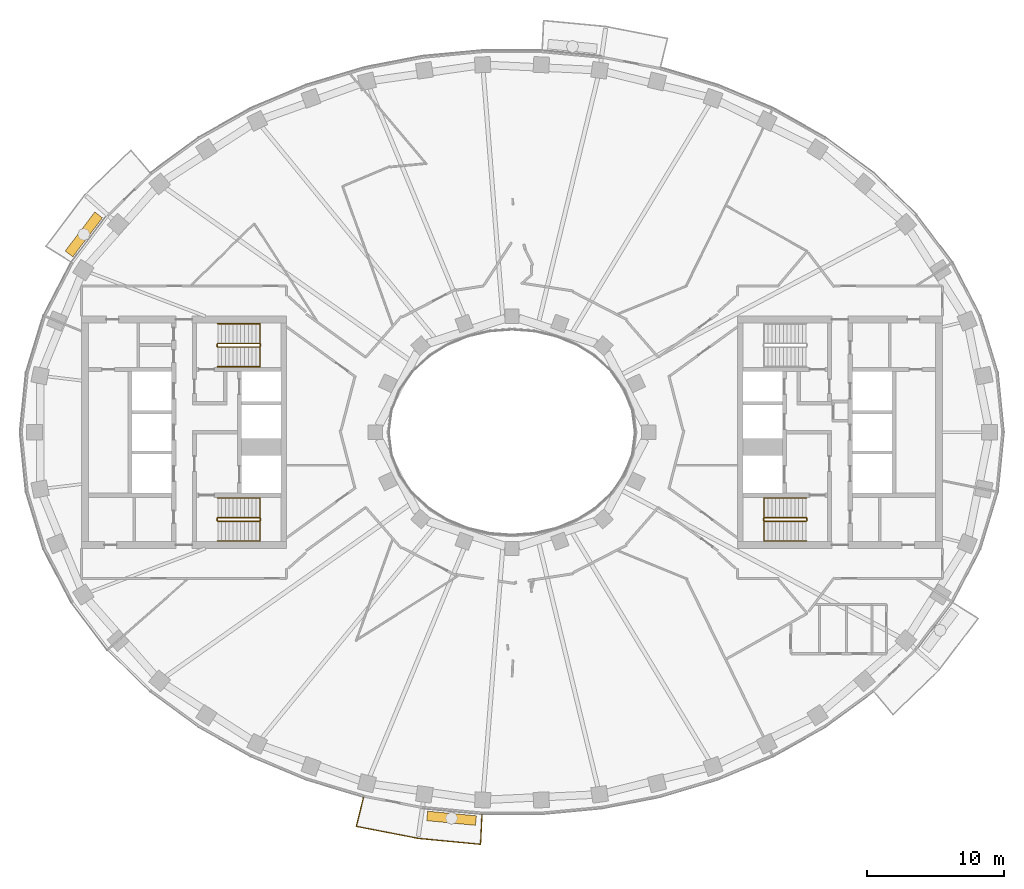
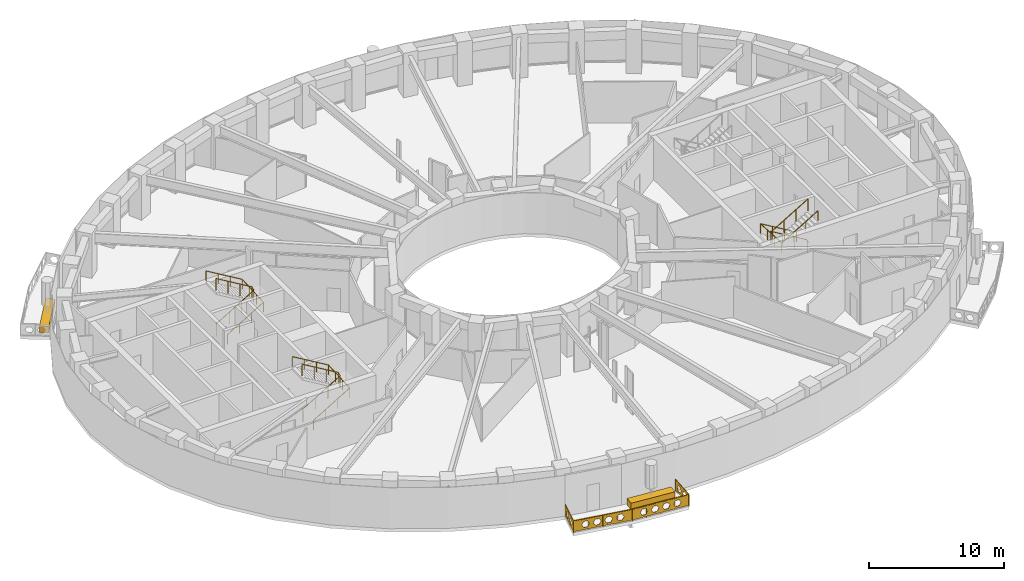
# One storey, part 15 of 17: 7 railings, 2 coverings.
"""IFC4 building model written with IfcOpenShell, lengths in metres."""

from ifc_helpers import new_model, si_unit, direction, frame, origin, origin_2d, place, context, subcontext, project, spatial, polyline, rectangle, outline, extrude, material, type_object, element, save


model = new_model("IFC4")

# Units and contexts
model_context = context("Model", 3, precision=1e-05, world=origin(), true_north=direction((0.0, 1.0)))
body_context = subcontext(model_context, "Body", "Model", "MODEL_VIEW")
ifc_project = project(units=[si_unit("LENGTHUNIT", "METRE"), si_unit("AREAUNIT", "SQUARE_METRE"), si_unit("VOLUMEUNIT", "CUBIC_METRE"), si_unit("PLANEANGLEUNIT", "RADIAN"), si_unit("MASSUNIT", "GRAM", prefix="KILO")], contexts=[model_context])

# Site, building, storey
site_placement = place(None, origin())
site = spatial("IfcSite", under=ifc_project, at=site_placement, CompositionType="ELEMENT")
building_placement = place(site_placement, origin())
building = spatial("IfcBuilding", under=site, at=building_placement, Name="Noorbagh Ring Tower", CompositionType="ELEMENT")
storey_placement = place(building_placement, frame((0.0, 0.0, 190.0)))
storey = spatial("IfcBuildingStorey", under=building, at=storey_placement, Name="L44", CompositionType="ELEMENT", Elevation=190.0)

# Railings
ifc_material_1 = material(Name="Stainless steel", Category="steel")
railing_type_1 = type_object("IfcRailingType", Name="CORE-STAIR-GUARD", PredefinedType="GUARDRAIL", material=ifc_material_1)
railing_1_placement = place(storey_placement, frame((-21.580078125, 6.300048828125, 0.0)))
element("IfcRailing", 1, at=railing_1_placement, inside=storey, type_object=railing_type_1, Name="L44 ST1 stair guard", PredefinedType="GUARDRAIL", context=body_context, shape_type="SweptSolid", body=[
    extrude(rectangle(XDim=0.048095703125, YDim=0.048095703125, at=origin_2d()), frame((0.0, 0.0, 1.076171875), z_axis=(0.0, 1.0, 0.0), x_axis=(-1.0, 0.0, 0.0)), (0.0, 0.0, 1.0), 0.14990234375),
    extrude(rectangle(XDim=0.048095703125, YDim=0.048095703125, at=origin_2d()), frame((0.0, 0.14990234375, 1.076171875), z_axis=(0.188775798145, -0.754182335027, 0.628945707965), x_axis=(0.970072785993, 0.242814311512, 0.0)), (0.0, 0.0, 1.0), 0.26513671875),
    extrude(rectangle(XDim=0.048095703125, YDim=0.048095703125, at=origin_2d()), frame((0.050048828125, -0.050048828125, 1.24267578125), z_axis=(0.859308565015, 0.0, 0.511457515432), x_axis=(0.0, 1.0, 0.0)), (0.0, 0.0, 1.0), 3.58447265625),
    extrude(rectangle(XDim=0.048095703125, YDim=0.048095703125, at=origin_2d()), frame((3.130126953125, -0.050048828125, 3.076171875), z_axis=(0.707106781187, 0.707106781187, 0.0), x_axis=(-0.707106781187, 0.707106781187, 0.0)), (0.0, 0.0, 1.0), 0.07080078125),
    extrude(rectangle(XDim=0.048095703125, YDim=0.048095703125, at=origin_2d()), frame((3.18017578125, 0.0, 3.076171875), z_axis=(0.0, 1.0, 0.0), x_axis=(-1.0, 0.0, 0.0)), (0.0, 0.0, 1.0), 0.14990234375),
    extrude(rectangle(XDim=0.048095703125, YDim=0.048095703125, at=origin_2d()), frame((3.18017578125, 0.14990234375, 3.076171875), z_axis=(-0.27628659633, 0.27628659633, 0.920506074601), x_axis=(-0.707106781187, -0.707106781187, 0.0)), (0.0, 0.0, 1.0), 0.18115234375),
    extrude(rectangle(XDim=0.048095703125, YDim=0.048095703125, at=origin_2d()), frame((3.130126953125, 0.199951171875, 3.24267578125), z_axis=(-0.859308565015, 0.0, 0.511457515432), x_axis=(0.0, -1.0, 0.0)), (0.0, 0.0, 1.0), 3.58447265625),
    extrude(rectangle(XDim=0.0419921875, YDim=0.0419921875, at=origin_2d()), origin(), (0.0, 0.0, 1.0), 1.052001953125),
    extrude(rectangle(XDim=0.0419921875, YDim=0.0419921875, at=origin_2d()), frame((1.07666015625, -0.050048828125, 0.77783203125)), (0.0, 0.0, 1.0), 1.052001953125),
    extrude(rectangle(XDim=0.0419921875, YDim=0.0419921875, at=origin_2d()), frame((2.103515625, -0.050048828125, 1.388916015625)), (0.0, 0.0, 1.0), 1.052001953125),
    extrude(rectangle(XDim=0.0419921875, YDim=0.0419921875, at=origin_2d()), frame((3.130126953125, -0.050048828125, 2.0)), (0.0, 0.0, 1.0), 1.052001953125),
    extrude(rectangle(XDim=0.0419921875, YDim=0.0419921875, at=origin_2d()), frame((3.130126953125, 0.199951171875, 2.166748046875)), (0.0, 0.0, 1.0), 1.052001953125),
    extrude(rectangle(XDim=0.0419921875, YDim=0.0419921875, at=origin_2d()), frame((2.103515625, 0.199951171875, 2.77783203125)), (0.0, 0.0, 1.0), 1.052001953125),
    extrude(rectangle(XDim=0.0419921875, YDim=0.0419921875, at=origin_2d()), frame((1.07666015625, 0.199951171875, 3.388916015625)), (0.0, 0.0, 1.0), 1.052001953125),
    extrude(rectangle(XDim=0.0419921875, YDim=0.0419921875, at=origin_2d()), frame((0.050048828125, 0.199951171875, 4.0)), (0.0, 0.0, 1.0), 1.052001953125),
])
railing_2_placement = place(storey_placement, frame((-21.580078125, -6.449951171875, 0.0)))
element("IfcRailing", 2, at=railing_2_placement, inside=storey, type_object=railing_type_1, Name="L44 ST2 stair guard", PredefinedType="GUARDRAIL", context=body_context, shape_type="SweptSolid", body=[
    extrude(rectangle(XDim=0.048095703125, YDim=0.048095703125, at=origin_2d()), frame((0.0, 0.0, 1.076171875), z_axis=(0.0, 1.0, 0.0), x_axis=(-1.0, 0.0, 0.0)), (0.0, 0.0, 1.0), 0.14990234375),
    extrude(rectangle(XDim=0.048095703125, YDim=0.048095703125, at=origin_2d()), frame((0.0, 0.14990234375, 1.076171875), z_axis=(0.188775798145, -0.754182335027, 0.628945707965), x_axis=(0.970072785993, 0.242814311512, 0.0)), (0.0, 0.0, 1.0), 0.26513671875),
    extrude(rectangle(XDim=0.048095703125, YDim=0.048095703125, at=origin_2d()), frame((0.050048828125, -0.050048828125, 1.24267578125), z_axis=(0.859308565015, 0.0, 0.511457515432), x_axis=(0.0, 1.0, 0.0)), (0.0, 0.0, 1.0), 3.58447265625),
    extrude(rectangle(XDim=0.048095703125, YDim=0.048095703125, at=origin_2d()), frame((3.130126953125, -0.050048828125, 3.076171875), z_axis=(0.707106781187, 0.707106781187, 0.0), x_axis=(-0.707106781187, 0.707106781187, 0.0)), (0.0, 0.0, 1.0), 0.07080078125),
    extrude(rectangle(XDim=0.048095703125, YDim=0.048095703125, at=origin_2d()), frame((3.18017578125, 0.0, 3.076171875), z_axis=(0.0, 1.0, 0.0), x_axis=(-1.0, 0.0, 0.0)), (0.0, 0.0, 1.0), 0.14990234375),
    extrude(rectangle(XDim=0.048095703125, YDim=0.048095703125, at=origin_2d()), frame((3.18017578125, 0.14990234375, 3.076171875), z_axis=(-0.27628659633, 0.27628659633, 0.920506074601), x_axis=(-0.707106781187, -0.707106781187, 0.0)), (0.0, 0.0, 1.0), 0.18115234375),
    extrude(rectangle(XDim=0.048095703125, YDim=0.048095703125, at=origin_2d()), frame((3.130126953125, 0.199951171875, 3.24267578125), z_axis=(-0.859308565015, 0.0, 0.511457515432), x_axis=(0.0, -1.0, 0.0)), (0.0, 0.0, 1.0), 3.58447265625),
    extrude(rectangle(XDim=0.0419921875, YDim=0.0419921875, at=origin_2d()), origin(), (0.0, 0.0, 1.0), 1.052001953125),
    extrude(rectangle(XDim=0.0419921875, YDim=0.0419921875, at=origin_2d()), frame((1.07666015625, -0.050048828125, 0.77783203125)), (0.0, 0.0, 1.0), 1.052001953125),
    extrude(rectangle(XDim=0.0419921875, YDim=0.0419921875, at=origin_2d()), frame((2.103515625, -0.050048828125, 1.388916015625)), (0.0, 0.0, 1.0), 1.052001953125),
    extrude(rectangle(XDim=0.0419921875, YDim=0.0419921875, at=origin_2d()), frame((3.130126953125, -0.050048828125, 2.0)), (0.0, 0.0, 1.0), 1.052001953125),
    extrude(rectangle(XDim=0.0419921875, YDim=0.0419921875, at=origin_2d()), frame((3.130126953125, 0.199951171875, 2.166748046875)), (0.0, 0.0, 1.0), 1.052001953125),
    extrude(rectangle(XDim=0.0419921875, YDim=0.0419921875, at=origin_2d()), frame((2.103515625, 0.199951171875, 2.77783203125)), (0.0, 0.0, 1.0), 1.052001953125),
    extrude(rectangle(XDim=0.0419921875, YDim=0.0419921875, at=origin_2d()), frame((1.07666015625, 0.199951171875, 3.388916015625)), (0.0, 0.0, 1.0), 1.052001953125),
    extrude(rectangle(XDim=0.0419921875, YDim=0.0419921875, at=origin_2d()), frame((0.050048828125, 0.199951171875, 4.0)), (0.0, 0.0, 1.0), 1.052001953125),
])
railing_3_placement = place(storey_placement, frame((21.580078125, -6.300048828125, 0.0)))
element("IfcRailing", 3, at=railing_3_placement, inside=storey, type_object=railing_type_1, Name="L44 ST4 stair guard", PredefinedType="GUARDRAIL", context=body_context, shape_type="SweptSolid", body=[
    extrude(rectangle(XDim=0.048095703125, YDim=0.048095703125, at=origin_2d()), frame((0.0, 0.0, 1.076171875), z_axis=(0.0, -1.0, 0.0), x_axis=(1.0, 0.0, 0.0)), (0.0, 0.0, 1.0), 0.14990234375),
    extrude(rectangle(XDim=0.048095703125, YDim=0.048095703125, at=origin_2d()), frame((0.0, -0.14990234375, 1.076171875), z_axis=(-0.188775798145, 0.754182335027, 0.628945707965), x_axis=(-0.970072785993, -0.242814311512, 0.0)), (0.0, 0.0, 1.0), 0.26513671875),
    extrude(rectangle(XDim=0.048095703125, YDim=0.048095703125, at=origin_2d()), frame((-0.050048828125, 0.050048828125, 1.24267578125), z_axis=(-0.859308565015, 0.0, 0.511457515432), x_axis=(0.0, -1.0, 0.0)), (0.0, 0.0, 1.0), 3.58447265625),
    extrude(rectangle(XDim=0.048095703125, YDim=0.048095703125, at=origin_2d()), frame((-3.130126953125, 0.050048828125, 3.076171875), z_axis=(-0.707106781187, -0.707106781187, 0.0), x_axis=(0.707106781187, -0.707106781187, 0.0)), (0.0, 0.0, 1.0), 0.07080078125),
    extrude(rectangle(XDim=0.048095703125, YDim=0.048095703125, at=origin_2d()), frame((-3.18017578125, 0.0, 3.076171875), z_axis=(0.0, -1.0, 0.0), x_axis=(1.0, 0.0, 0.0)), (0.0, 0.0, 1.0), 0.14990234375),
    extrude(rectangle(XDim=0.048095703125, YDim=0.048095703125, at=origin_2d()), frame((-3.18017578125, -0.14990234375, 3.076171875), z_axis=(0.27628659633, -0.27628659633, 0.920506074601), x_axis=(0.707106781187, 0.707106781187, 0.0)), (0.0, 0.0, 1.0), 0.18115234375),
    extrude(rectangle(XDim=0.048095703125, YDim=0.048095703125, at=origin_2d()), frame((-3.130126953125, -0.199951171875, 3.24267578125), z_axis=(0.859308565015, 0.0, 0.511457515432), x_axis=(0.0, 1.0, 0.0)), (0.0, 0.0, 1.0), 3.58447265625),
    extrude(rectangle(XDim=0.0419921875, YDim=0.0419921875, at=origin_2d()), origin(), (0.0, 0.0, 1.0), 1.052001953125),
    extrude(rectangle(XDim=0.0419921875, YDim=0.0419921875, at=origin_2d()), frame((-1.07666015625, 0.050048828125, 0.77783203125)), (0.0, 0.0, 1.0), 1.052001953125),
    extrude(rectangle(XDim=0.0419921875, YDim=0.0419921875, at=origin_2d()), frame((-2.103515625, 0.050048828125, 1.388916015625)), (0.0, 0.0, 1.0), 1.052001953125),
    extrude(rectangle(XDim=0.0419921875, YDim=0.0419921875, at=origin_2d()), frame((-3.130126953125, 0.050048828125, 2.0)), (0.0, 0.0, 1.0), 1.052001953125),
    extrude(rectangle(XDim=0.0419921875, YDim=0.0419921875, at=origin_2d()), frame((-3.130126953125, -0.199951171875, 2.166748046875)), (0.0, 0.0, 1.0), 1.052001953125),
    extrude(rectangle(XDim=0.0419921875, YDim=0.0419921875, at=origin_2d()), frame((-2.103515625, -0.199951171875, 2.77783203125)), (0.0, 0.0, 1.0), 1.052001953125),
    extrude(rectangle(XDim=0.0419921875, YDim=0.0419921875, at=origin_2d()), frame((-1.07666015625, -0.199951171875, 3.388916015625)), (0.0, 0.0, 1.0), 1.052001953125),
    extrude(rectangle(XDim=0.0419921875, YDim=0.0419921875, at=origin_2d()), frame((-0.050048828125, -0.199951171875, 4.0)), (0.0, 0.0, 1.0), 1.052001953125),
])
ifc_material_2 = material(Name="Stainless steel", Category="steel")
railing_type_2 = type_object("IfcRailingType", Name="CORE-STAIR-HANDRAIL", PredefinedType="HANDRAIL", material=ifc_material_2)
railing_4_placement = place(storey_placement, frame((-21.530029296875, 4.800048828125, 0.166748046875)))
element("IfcRailing", 4, at=railing_4_placement, inside=storey, type_object=railing_type_2, Name="L44 ST1 stair handrail", PredefinedType="HANDRAIL", context=body_context, shape_type="SweptSolid", body=[
    extrude(rectangle(XDim=0.048095703125, YDim=0.048095703125, at=origin_2d()), frame((0.0, 0.0, 0.8759765625), z_axis=(0.859308565015, 0.0, 0.511457515432), x_axis=(0.0, 1.0, 0.0)), (0.0, 0.0, 1.0), 3.58447265625),
    extrude(rectangle(XDim=0.048095703125, YDim=0.048095703125, at=origin_2d()), frame((3.080078125, 0.0, 2.708984375), z_axis=(0.0, 0.998601747152, 0.052863509014), x_axis=(-1.0, 0.0, 0.0)), (0.0, 0.0, 1.0), 3.154296875),
    extrude(rectangle(XDim=0.048095703125, YDim=0.048095703125, at=origin_2d()), frame((3.080078125, 3.14990234375, 2.8759765625), z_axis=(-0.859308565015, 0.0, 0.511457515432), x_axis=(0.0, -1.0, 0.0)), (0.0, 0.0, 1.0), 3.58447265625),
    extrude(rectangle(XDim=0.0419921875, YDim=0.0419921875, at=origin_2d()), origin(), (0.0, 0.0, 1.0), 0.851806640625),
    extrude(rectangle(XDim=0.0419921875, YDim=0.0419921875, at=origin_2d()), frame((1.026611328125, 0.0, 0.611083984375)), (0.0, 0.0, 1.0), 0.851806640625),
    extrude(rectangle(XDim=0.0419921875, YDim=0.0419921875, at=origin_2d()), frame((2.053466796875, 0.0, 1.22216796875)), (0.0, 0.0, 1.0), 0.851806640625),
    extrude(rectangle(XDim=0.0419921875, YDim=0.0419921875, at=origin_2d()), frame((3.080078125, 0.0, 1.833251953125)), (0.0, 0.0, 1.0), 0.851806640625),
    extrude(rectangle(XDim=0.0419921875, YDim=0.0419921875, at=origin_2d()), frame((3.080078125, 1.050048828125, 1.888916015625)), (0.0, 0.0, 1.0), 0.851806640625),
    extrude(rectangle(XDim=0.0419921875, YDim=0.0419921875, at=origin_2d()), frame((3.080078125, 2.099853515625, 1.9443359375)), (0.0, 0.0, 1.0), 0.851806640625),
    extrude(rectangle(XDim=0.0419921875, YDim=0.0419921875, at=origin_2d()), frame((3.080078125, 3.14990234375, 2.0)), (0.0, 0.0, 1.0), 0.851806640625),
    extrude(rectangle(XDim=0.0419921875, YDim=0.0419921875, at=origin_2d()), frame((2.053466796875, 3.14990234375, 2.611083984375)), (0.0, 0.0, 1.0), 0.851806640625),
    extrude(rectangle(XDim=0.0419921875, YDim=0.0419921875, at=origin_2d()), frame((1.026611328125, 3.14990234375, 3.22216796875)), (0.0, 0.0, 1.0), 0.851806640625),
    extrude(rectangle(XDim=0.0419921875, YDim=0.0419921875, at=origin_2d()), frame((0.0, 3.14990234375, 3.833251953125)), (0.0, 0.0, 1.0), 0.851806640625),
])
railing_5_placement = place(storey_placement, frame((-21.530029296875, -7.949951171875, 0.166748046875)))
element("IfcRailing", 5, at=railing_5_placement, inside=storey, type_object=railing_type_2, Name="L44 ST2 stair handrail", PredefinedType="HANDRAIL", context=body_context, shape_type="SweptSolid", body=[
    extrude(rectangle(XDim=0.048095703125, YDim=0.048095703125, at=origin_2d()), frame((0.0, 0.0, 0.8759765625), z_axis=(0.859308565015, 0.0, 0.511457515432), x_axis=(0.0, 1.0, 0.0)), (0.0, 0.0, 1.0), 3.58447265625),
    extrude(rectangle(XDim=0.048095703125, YDim=0.048095703125, at=origin_2d()), frame((3.080078125, 0.0, 2.708984375), z_axis=(0.0, 0.998601747152, 0.052863509014), x_axis=(-1.0, 0.0, 0.0)), (0.0, 0.0, 1.0), 3.154296875),
    extrude(rectangle(XDim=0.048095703125, YDim=0.048095703125, at=origin_2d()), frame((3.080078125, 3.14990234375, 2.8759765625), z_axis=(-0.859308565015, 0.0, 0.511457515432), x_axis=(0.0, -1.0, 0.0)), (0.0, 0.0, 1.0), 3.58447265625),
    extrude(rectangle(XDim=0.0419921875, YDim=0.0419921875, at=origin_2d()), origin(), (0.0, 0.0, 1.0), 0.851806640625),
    extrude(rectangle(XDim=0.0419921875, YDim=0.0419921875, at=origin_2d()), frame((1.026611328125, 0.0, 0.611083984375)), (0.0, 0.0, 1.0), 0.851806640625),
    extrude(rectangle(XDim=0.0419921875, YDim=0.0419921875, at=origin_2d()), frame((2.053466796875, 0.0, 1.22216796875)), (0.0, 0.0, 1.0), 0.851806640625),
    extrude(rectangle(XDim=0.0419921875, YDim=0.0419921875, at=origin_2d()), frame((3.080078125, 0.0, 1.833251953125)), (0.0, 0.0, 1.0), 0.851806640625),
    extrude(rectangle(XDim=0.0419921875, YDim=0.0419921875, at=origin_2d()), frame((3.080078125, 1.050048828125, 1.888916015625)), (0.0, 0.0, 1.0), 0.851806640625),
    extrude(rectangle(XDim=0.0419921875, YDim=0.0419921875, at=origin_2d()), frame((3.080078125, 2.099853515625, 1.9443359375)), (0.0, 0.0, 1.0), 0.851806640625),
    extrude(rectangle(XDim=0.0419921875, YDim=0.0419921875, at=origin_2d()), frame((3.080078125, 3.14990234375, 2.0)), (0.0, 0.0, 1.0), 0.851806640625),
    extrude(rectangle(XDim=0.0419921875, YDim=0.0419921875, at=origin_2d()), frame((2.053466796875, 3.14990234375, 2.611083984375)), (0.0, 0.0, 1.0), 0.851806640625),
    extrude(rectangle(XDim=0.0419921875, YDim=0.0419921875, at=origin_2d()), frame((1.026611328125, 3.14990234375, 3.22216796875)), (0.0, 0.0, 1.0), 0.851806640625),
    extrude(rectangle(XDim=0.0419921875, YDim=0.0419921875, at=origin_2d()), frame((0.0, 3.14990234375, 3.833251953125)), (0.0, 0.0, 1.0), 0.851806640625),
])
railing_6_placement = place(storey_placement, frame((21.530029296875, -4.800048828125, 0.166748046875)))
element("IfcRailing", 6, at=railing_6_placement, inside=storey, type_object=railing_type_2, Name="L44 ST4 stair handrail", PredefinedType="HANDRAIL", context=body_context, shape_type="SweptSolid", body=[
    extrude(rectangle(XDim=0.048095703125, YDim=0.048095703125, at=origin_2d()), frame((0.0, 0.0, 0.8759765625), z_axis=(-0.859308565015, 0.0, 0.511457515432), x_axis=(0.0, -1.0, 0.0)), (0.0, 0.0, 1.0), 3.58447265625),
    extrude(rectangle(XDim=0.048095703125, YDim=0.048095703125, at=origin_2d()), frame((-3.080078125, 0.0, 2.708984375), z_axis=(0.0, -0.998601747152, 0.052863509014), x_axis=(1.0, 0.0, 0.0)), (0.0, 0.0, 1.0), 3.154296875),
    extrude(rectangle(XDim=0.048095703125, YDim=0.048095703125, at=origin_2d()), frame((-3.080078125, -3.14990234375, 2.8759765625), z_axis=(0.859308565015, 0.0, 0.511457515432), x_axis=(0.0, 1.0, 0.0)), (0.0, 0.0, 1.0), 3.58447265625),
    extrude(rectangle(XDim=0.0419921875, YDim=0.0419921875, at=origin_2d()), origin(), (0.0, 0.0, 1.0), 0.851806640625),
    extrude(rectangle(XDim=0.0419921875, YDim=0.0419921875, at=origin_2d()), frame((-1.026611328125, 0.0, 0.611083984375)), (0.0, 0.0, 1.0), 0.851806640625),
    extrude(rectangle(XDim=0.0419921875, YDim=0.0419921875, at=origin_2d()), frame((-2.053466796875, 0.0, 1.22216796875)), (0.0, 0.0, 1.0), 0.851806640625),
    extrude(rectangle(XDim=0.0419921875, YDim=0.0419921875, at=origin_2d()), frame((-3.080078125, 0.0, 1.833251953125)), (0.0, 0.0, 1.0), 0.851806640625),
    extrude(rectangle(XDim=0.0419921875, YDim=0.0419921875, at=origin_2d()), frame((-3.080078125, -1.050048828125, 1.888916015625)), (0.0, 0.0, 1.0), 0.851806640625),
    extrude(rectangle(XDim=0.0419921875, YDim=0.0419921875, at=origin_2d()), frame((-3.080078125, -2.099853515625, 1.9443359375)), (0.0, 0.0, 1.0), 0.851806640625),
    extrude(rectangle(XDim=0.0419921875, YDim=0.0419921875, at=origin_2d()), frame((-3.080078125, -3.14990234375, 2.0)), (0.0, 0.0, 1.0), 0.851806640625),
    extrude(rectangle(XDim=0.0419921875, YDim=0.0419921875, at=origin_2d()), frame((-2.053466796875, -3.14990234375, 2.611083984375)), (0.0, 0.0, 1.0), 0.851806640625),
    extrude(rectangle(XDim=0.0419921875, YDim=0.0419921875, at=origin_2d()), frame((-1.026611328125, -3.14990234375, 3.22216796875)), (0.0, 0.0, 1.0), 0.851806640625),
    extrude(rectangle(XDim=0.0419921875, YDim=0.0419921875, at=origin_2d()), frame((0.0, -3.14990234375, 3.833251953125)), (0.0, 0.0, 1.0), 0.851806640625),
])
ifc_material_3 = material(Name="Steel S275 black powder-coated", Category="steel")
railing_type_3 = type_object("IfcRailingType", Name="ENV-GUARD", PredefinedType="GUARDRAIL", material=ifc_material_3)
railing_7_placement = place(storey_placement, frame((-10.865234375, -26.6943359375, 0.0)))
element("IfcRailing", 7, at=railing_7_placement, inside=storey, type_object=railing_type_3, Name="Balcony guard BS03", PredefinedType="GUARDRAIL", context=body_context, shape_type="SweptSolid", body=[
    extrude(rectangle(XDim=0.048095703125, YDim=0.048095703125, at=origin_2d()), frame((0.0, 0.0, 1.076171875), z_axis=(-0.239848558412, -0.970810315679, 0.0), x_axis=(0.970810315679, -0.239848558412, 0.0)), (0.0, 0.0, 1.0), 2.20263671875),
    extrude(rectangle(XDim=0.048095703125, YDim=0.048095703125, at=origin_2d()), frame((-0.5283203125, -2.138427734375, 1.076171875), z_axis=(0.981625049064, -0.1908199755, 0.0), x_axis=(0.1908199755, 0.981625049064, 0.0)), (0.0, 0.0, 1.0), 4.603271484375),
    extrude(rectangle(XDim=0.048095703125, YDim=0.048095703125, at=origin_2d()), frame((3.990478515625, -3.016845703125, 1.076171875), z_axis=(0.995477555764, -0.094997031379, 0.0), x_axis=(0.094997031379, 0.995477555764, 0.0)), (0.0, 0.0, 1.0), 4.59765625),
    extrude(rectangle(XDim=0.048095703125, YDim=0.048095703125, at=origin_2d()), frame((8.5673828125, -3.45361328125, 1.076171875), z_axis=(0.047554616162, 0.998868639252, 0.0), x_axis=(-0.998868639252, 0.047554616162, 0.0)), (0.0, 0.0, 1.0), 2.202392578125),
    extrude(rectangle(XDim=0.0419921875, YDim=0.0419921875, at=origin_2d()), origin(), (0.0, 0.0, 1.0), 1.052001953125),
    extrude(rectangle(XDim=0.0419921875, YDim=0.0419921875, at=origin_2d()), frame((-0.26416015625, -1.0693359375, 0.0)), (0.0, 0.0, 1.0), 1.052001953125),
    extrude(rectangle(XDim=0.0419921875, YDim=0.0419921875, at=origin_2d()), frame((-0.5283203125, -2.138427734375, 0.0)), (0.0, 0.0, 1.0), 1.052001953125),
    extrude(rectangle(XDim=0.0419921875, YDim=0.0419921875, at=origin_2d()), frame((0.601318359375, -2.35791015625, 0.0)), (0.0, 0.0, 1.0), 1.052001953125),
    extrude(rectangle(XDim=0.0419921875, YDim=0.0419921875, at=origin_2d()), frame((1.73095703125, -2.57763671875, 0.0)), (0.0, 0.0, 1.0), 1.052001953125),
    extrude(rectangle(XDim=0.0419921875, YDim=0.0419921875, at=origin_2d()), frame((2.86083984375, -2.79736328125, 0.0)), (0.0, 0.0, 1.0), 1.052001953125),
    extrude(rectangle(XDim=0.0419921875, YDim=0.0419921875, at=origin_2d()), frame((3.990478515625, -3.016845703125, 0.0)), (0.0, 0.0, 1.0), 1.052001953125),
    extrude(rectangle(XDim=0.0419921875, YDim=0.0419921875, at=origin_2d()), frame((5.134765625, -3.1259765625, 0.0)), (0.0, 0.0, 1.0), 1.052001953125),
    extrude(rectangle(XDim=0.0419921875, YDim=0.0419921875, at=origin_2d()), frame((6.27880859375, -3.2353515625, 0.0)), (0.0, 0.0, 1.0), 1.052001953125),
    extrude(rectangle(XDim=0.0419921875, YDim=0.0419921875, at=origin_2d()), frame((7.423095703125, -3.344482421875, 0.0)), (0.0, 0.0, 1.0), 1.052001953125),
    extrude(rectangle(XDim=0.0419921875, YDim=0.0419921875, at=origin_2d()), frame((8.5673828125, -3.45361328125, 0.0)), (0.0, 0.0, 1.0), 1.052001953125),
    extrude(rectangle(XDim=0.0419921875, YDim=0.0419921875, at=origin_2d()), frame((8.61962890625, -2.353515625, 0.0)), (0.0, 0.0, 1.0), 1.052001953125),
    extrude(rectangle(XDim=0.0419921875, YDim=0.0419921875, at=origin_2d()), frame((8.672119140625, -1.253662109375, 0.0)), (0.0, 0.0, 1.0), 1.052001953125),
    extrude(outline(polyline([(0.0, 0.10009765625), (2.20263671875, 0.10009765625), (2.20263671875, 1.031982421875), (0.0, 1.031982421875), (0.0, 0.10009765625)]), holes=[polyline([(0.96142578125, 0.56591796875), (0.806396484375, 0.83447265625), (0.496337890625, 0.83447265625), (0.34130859375, 0.56591796875), (0.496337890625, 0.297607421875), (0.806396484375, 0.297607421875), (0.96142578125, 0.56591796875)]), polyline([(1.861328125, 0.56591796875), (1.706298828125, 0.83447265625), (1.396240234375, 0.83447265625), (1.241455078125, 0.56591796875), (1.396240234375, 0.297607421875), (1.706298828125, 0.297607421875), (1.861328125, 0.56591796875)])]), frame((0.009765625, -0.00244140625, 0.0), z_axis=(-0.970810315679, 0.239848558412, 0.0), x_axis=(-0.239848558412, -0.970810315679, 0.0)), (0.0, 0.0, 1.0), 0.02001953125),
    extrude(outline(polyline([(0.0, 0.10009765625), (4.603271484375, 0.10009765625), (4.603271484375, 1.031982421875), (0.0, 1.031982421875), (0.0, 0.10009765625)]), holes=[polyline([(1.26171875, 0.56591796875), (1.106689453125, 0.83447265625), (0.796630859375, 0.83447265625), (0.6416015625, 0.56591796875), (0.796630859375, 0.297607421875), (1.106689453125, 0.297607421875), (1.26171875, 0.56591796875)]), polyline([(2.16162109375, 0.56591796875), (2.006591796875, 0.83447265625), (1.69677734375, 0.83447265625), (1.541748046875, 0.56591796875), (1.69677734375, 0.297607421875), (2.006591796875, 0.297607421875), (2.16162109375, 0.56591796875)]), polyline([(3.061767578125, 0.56591796875), (2.90673828125, 0.83447265625), (2.5966796875, 0.83447265625), (2.441650390625, 0.56591796875), (2.5966796875, 0.297607421875), (2.90673828125, 0.297607421875), (3.061767578125, 0.56591796875)]), polyline([(3.961669921875, 0.56591796875), (3.806640625, 0.83447265625), (3.49658203125, 0.83447265625), (3.341796875, 0.56591796875), (3.49658203125, 0.297607421875), (3.806640625, 0.297607421875), (3.961669921875, 0.56591796875)])]), frame((-0.5263671875, -2.128662109375, 0.0), z_axis=(-0.1908199755, -0.981625049064, 0.0), x_axis=(0.981625049064, -0.1908199755, 0.0)), (0.0, 0.0, 1.0), 0.02001953125),
    extrude(outline(polyline([(0.0, 0.10009765625), (4.59765625, 0.10009765625), (4.59765625, 1.031982421875), (0.0, 1.031982421875), (0.0, 0.10009765625)]), holes=[polyline([(1.2587890625, 0.56591796875), (1.103759765625, 0.83447265625), (0.7939453125, 0.83447265625), (0.638916015625, 0.56591796875), (0.7939453125, 0.297607421875), (1.103759765625, 0.297607421875), (1.2587890625, 0.56591796875)]), polyline([(2.158935546875, 0.56591796875), (2.00390625, 0.83447265625), (1.69384765625, 0.83447265625), (1.538818359375, 0.56591796875), (1.69384765625, 0.297607421875), (2.00390625, 0.297607421875), (2.158935546875, 0.56591796875)]), polyline([(3.058837890625, 0.56591796875), (2.90380859375, 0.83447265625), (2.59375, 0.83447265625), (2.43896484375, 0.56591796875), (2.59375, 0.297607421875), (2.90380859375, 0.297607421875), (3.058837890625, 0.56591796875)]), polyline([(3.958740234375, 0.56591796875), (3.803955078125, 0.83447265625), (3.493896484375, 0.83447265625), (3.3388671875, 0.56591796875), (3.493896484375, 0.297607421875), (3.803955078125, 0.297607421875), (3.958740234375, 0.56591796875)])]), frame((3.991455078125, -3.0068359375, 0.0), z_axis=(-0.094997031379, -0.995477555764, 0.0), x_axis=(0.995477555764, -0.094997031379, 0.0)), (0.0, 0.0, 1.0), 0.02001953125),
    extrude(outline(polyline([(0.0, 0.10009765625), (2.202392578125, 0.10009765625), (2.202392578125, 1.031982421875), (0.0, 1.031982421875), (0.0, 0.10009765625)]), holes=[polyline([(0.961181640625, 0.56591796875), (0.80615234375, 0.83447265625), (0.496337890625, 0.83447265625), (0.34130859375, 0.56591796875), (0.496337890625, 0.297607421875), (0.80615234375, 0.297607421875), (0.961181640625, 0.56591796875)]), polyline([(1.861328125, 0.56591796875), (1.706298828125, 0.83447265625), (1.396240234375, 0.83447265625), (1.2412109375, 0.56591796875), (1.396240234375, 0.297607421875), (1.706298828125, 0.297607421875), (1.861328125, 0.56591796875)])]), frame((8.557373046875, -3.453125, 0.0), z_axis=(0.998868639252, -0.047554616162, 0.0), x_axis=(0.047554616162, 0.998868639252, 0.0)), (0.0, 0.0, 1.0), 0.02001953125),
])

# Coverings
ifc_material_4 = material(Name="Concrete C30/37 planter with soil", Category="concrete")
covering_type = type_object("IfcCoveringType", Name="ENV-PLANTER", PredefinedType="CLADDING", material=ifc_material_4)
covering_1_placement = place(storey_placement, frame((-31.329833984375, 14.4833984375, 0.0), z_axis=(0.0, 0.0, 1.0), x_axis=(-0.604020184358, -0.796969018776, 0.0)))
element("IfcCovering", 8, at=covering_1_placement, inside=storey, type_object=covering_type, Name="PLANTER BN06", ObjectType="PLANTER", PredefinedType="CLADDING", context=body_context, shape_type="SweptSolid", body=[
    extrude(rectangle(XDim=3.583251953125, YDim=0.699951171875, at=origin_2d()), origin(), (0.0, 0.0, 1.0), 0.60009765625),
])
covering_2_placement = place(storey_placement, frame((-4.423828125, -28.2373046875, 0.0), z_axis=(0.0, 0.0, 1.0), x_axis=(0.995476497323, -0.095008122171, 0.0)))
element("IfcCovering", 9, at=covering_2_placement, inside=storey, type_object=covering_type, Name="PLANTER BS03", ObjectType="PLANTER", PredefinedType="CLADDING", context=body_context, shape_type="SweptSolid", body=[
    extrude(rectangle(XDim=3.58642578125, YDim=0.699951171875, at=origin_2d()), origin(), (0.0, 0.0, 1.0), 0.60009765625),
])

save(model, "model.ifc")
